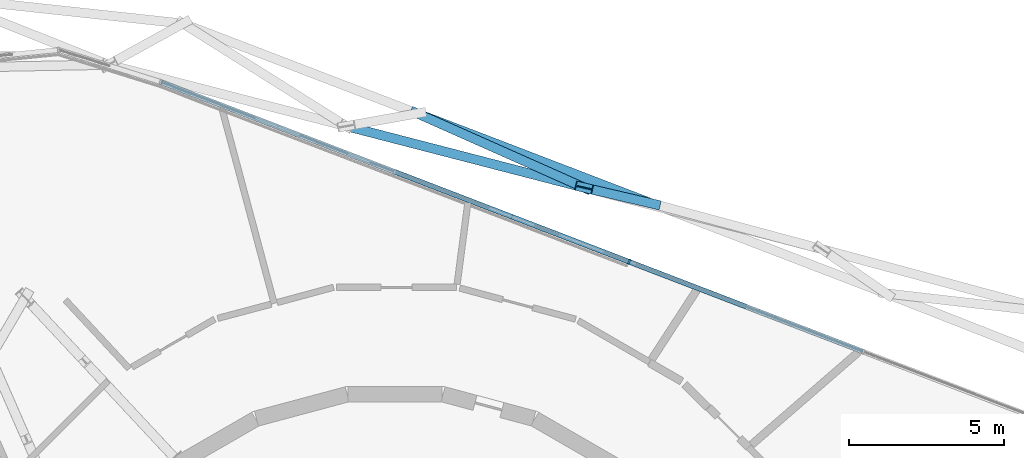
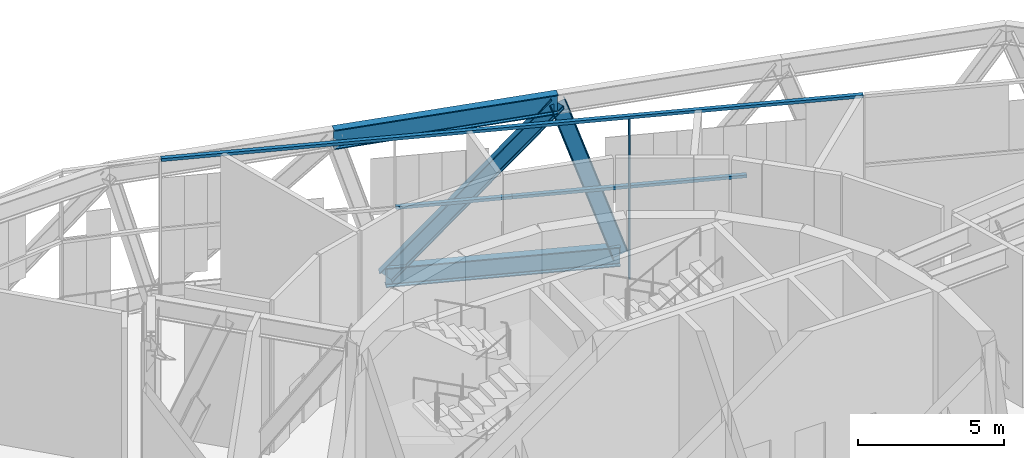
# One storey, part 7 of 25: 9 members, 1 element without a shape of its own.
"""IFC4 building model written with IfcOpenShell, lengths in metres."""

from ifc_helpers import new_model, si_unit, direction, frame, origin, origin_2d, place, context, subcontext, project, spatial, rectangle, i_section, extrude, material, layer, layer_set, material_profile, profile_set, type_object, element, aggregate, save


model = new_model("IFC4")

# Units and contexts
model_context = context("Model", 3, precision=1e-05, world=origin(), true_north=direction((0.0, 1.0)))
body_context = subcontext(model_context, "Body", "Model", "MODEL_VIEW")
ifc_project = project(units=[si_unit("LENGTHUNIT", "METRE"), si_unit("AREAUNIT", "SQUARE_METRE"), si_unit("VOLUMEUNIT", "CUBIC_METRE"), si_unit("PLANEANGLEUNIT", "RADIAN"), si_unit("MASSUNIT", "GRAM", prefix="KILO")], contexts=[model_context])

# Site, building, storey
site_placement = place(None, origin())
site = spatial("IfcSite", under=ifc_project, at=site_placement, CompositionType="ELEMENT")
building_placement = place(site_placement, origin())
building = spatial("IfcBuilding", under=site, at=building_placement, Name="Spindle Arch Residences", CompositionType="ELEMENT")
storey_placement = place(building_placement, frame((0.0, 0.0, 291.39990234375)))
storey = spatial("IfcBuildingStorey", under=building, at=storey_placement, Name="L75", CompositionType="ELEMENT", Elevation=291.39990234375)

# Members
ifc_material_1 = material(Name="Steel S460ML, intumescent coating R 240", Category="steel")
ifc_material_profile_1 = material_profile(ifc_material_1, i_section(OverallWidth=0.302978515625, OverallDepth=0.81396484375, WebThickness=0.02099609375, FlangeThickness=0.0400390625, FilletRadius=0.030029296875, at=origin_2d()), Name="HEM 800")
ifc_profile_set_1 = profile_set([ifc_material_profile_1], Name="Steel S460ML, intumescent coating R 240")
member_type_1 = type_object("IfcMemberType", Name="Belt truss chord HEM 800", PredefinedType="CHORD", material=ifc_profile_set_1)
member_1_placement = place(storey_placement, frame((8.2841796875, 17.810791015625, -0.85693359375), z_axis=(-0.933579788553, 0.358369611443, 0.0), x_axis=(-0.358369611443, -0.933579788553, 0.0)))
element("IfcMember", 1, at=member_1_placement, inside=storey, type_object=member_type_1, Name="Belt truss bottom chord L75.7", PredefinedType="CHORD", context=body_context, shape_type="SweptSolid", body=[
    extrude(i_section(OverallWidth=0.302978515625, OverallDepth=0.81396484375, WebThickness=0.02099609375, FlangeThickness=0.0400390625, FilletRadius=0.030029296875, at=origin_2d()), origin(), (0.0, 0.0, 1.0), 8.107666015625),
])
member_2_placement = place(storey_placement, frame((6.10400390625, 18.31982421875, 5.943115234375), z_axis=(-0.968148968941, 0.250374866825, 0.0), x_axis=(-0.250374866825, -0.968148968941, 0.0)))
element("IfcMember", 2, at=member_2_placement, inside=storey, type_object=member_type_1, Name="Belt truss top chord L75.7", PredefinedType="CHORD", context=body_context, shape_type="SweptSolid", body=[
    extrude(i_section(OverallWidth=0.302978515625, OverallDepth=0.81396484375, WebThickness=0.02099609375, FlangeThickness=0.0400390625, FilletRadius=0.030029296875, at=origin_2d()), origin(), (0.0, 0.0, 1.0), 7.935302734375),
])
ifc_material_2 = material(Name="Steel S460ML, intumescent coating R 240", Category="steel")
ifc_material_profile_2 = material_profile(ifc_material_2, i_section(OverallWidth=0.300048828125, OverallDepth=0.60009765625, WebThickness=0.015380859375, FlangeThickness=0.030029296875, FilletRadius=0.027099609375, at=origin_2d()), Name="HEB 600")
ifc_profile_set_2 = profile_set([ifc_material_profile_2], Name="Steel S460ML, intumescent coating R 240")
member_type_2 = type_object("IfcMemberType", Name="Belt truss diagonal HEB 600", PredefinedType="BRACE", material=ifc_profile_set_2)
member_3_placement = place(storey_placement, frame((8.2841796875, 17.810791015625, -0.85693359375), z_axis=(-0.304531412661, 0.071102799037, 0.94984472977), x_axis=(-0.227367504789, -0.973809025305, 0.0)))
element("IfcMember", 3, at=member_3_placement, inside=storey, type_object=member_type_2, Name="Belt truss diagonal L75.7.7", PredefinedType="BRACE", context=body_context, shape_type="SweptSolid", body=[
    extrude(i_section(OverallWidth=0.300048828125, OverallDepth=0.60009765625, WebThickness=0.015380859375, FlangeThickness=0.030029296875, FilletRadius=0.027099609375, at=origin_2d()), origin(), (0.0, 0.0, 1.0), 7.1591796875),
])
member_4_placement = place(storey_placement, frame((0.715087890625, 20.71630859375, -0.85693359375), z_axis=(0.59867895684, -0.266236245202, 0.755448058028), x_axis=(0.406338178948, 0.913722761197, 0.0)))
element("IfcMember", 4, at=member_4_placement, inside=storey, type_object=member_type_2, Name="Belt truss diagonal L75.7.8", PredefinedType="BRACE", context=body_context, shape_type="SweptSolid", body=[
    extrude(i_section(OverallWidth=0.300048828125, OverallDepth=0.60009765625, WebThickness=0.015380859375, FlangeThickness=0.030029296875, FilletRadius=0.027099609375, at=origin_2d()), origin(), (0.0, 0.0, 1.0), 9.00146484375),
])

# Curtain wall, members
ifc_material_3 = material(Name="Aluminium bronze unitised frame with tinted glass", Category="aluminium")
ifc_layer = layer(ifc_material_3, 0.159912109375)
ifc_layer_set = layer_set([ifc_layer], Name="CW-E double-height winter garden wall")
curtain_wall_type = type_object("IfcCurtainWallType", Name="CW-E double-height winter garden wall", PredefinedType="NOTDEFINED", material=ifc_layer_set)
curtain_wall_placement = place(storey_placement, origin())
curtain_wall = element("IfcCurtainWall", 5, at=curtain_wall_placement, inside=storey, type_object=curtain_wall_type, Name="CW-E L75 run 2", PredefinedType="NOTDEFINED")
ifc_material_4 = material(Name="Aluminium bronze anodised mullion", Category="aluminium")
ifc_material_profile_3 = material_profile(ifc_material_4, rectangle(XDim=0.159912109375, YDim=0.06005859375, at=origin_2d()), Name="MU 60x160")
ifc_profile_set_3 = profile_set([ifc_material_profile_3], Name="Aluminium bronze anodised mullion")
member_type_3 = type_object("IfcMemberType", Name="Bronze mullion 60x160", PredefinedType="MULLION", material=ifc_profile_set_3)
member_5_placement = place(storey_placement, frame((7.560302734375, 15.9248046875, -0.449951171875), z_axis=(0.0, 0.0, 1.0), x_axis=(-0.358367949545, -0.933580426497, 0.0)))
member_5 = element("IfcMember", 6, at=member_5_placement, type_object=member_type_3, Name="CW-E mullion 06", PredefinedType="MULLION", context=body_context, shape_type="SweptSolid", body=[
    extrude(rectangle(XDim=0.159912109375, YDim=0.06005859375, at=origin_2d()), origin(), (0.0, 0.0, 1.0), 6.679931640625),
])
ifc_material_5 = material(Name="Aluminium bronze anodised transom", Category="aluminium")
ifc_material_profile_4 = material_profile(ifc_material_5, rectangle(XDim=0.159912109375, YDim=0.1201171875, at=origin_2d()), Name="TR 120x160")
ifc_profile_set_4 = profile_set([ifc_material_profile_4], Name="Aluminium bronze anodised transom")
member_type_4 = type_object("IfcMemberType", Name="Bronze transom 120x160", PredefinedType="USERDEFINED", material=ifc_profile_set_4)
member_6_placement = place(storey_placement, frame((15.1015625, 13.0302734375, 6.2900390625), z_axis=(-0.933583473728, 0.358360011138, 0.0), x_axis=(-0.358360011138, -0.933583473728, 0.0)))
member_6 = element("IfcMember", 7, at=member_6_placement, type_object=member_type_4, Name="CW-E transom 00", ObjectType="TRANSOM", PredefinedType="USERDEFINED", context=body_context, shape_type="SweptSolid", body=[
    extrude(rectangle(XDim=0.159912109375, YDim=0.1201171875, at=origin_2d()), origin(), (0.0, 0.0, 1.0), 24.262939453125),
])
member_7_placement = place(storey_placement, frame((11.344970703125, 14.47216796875, 3.400146484375), z_axis=(-0.933590898711, 0.358340667303, 0.0), x_axis=(-0.358340667303, -0.933590898711, 0.0)))
member_7 = element("IfcMember", 8, at=member_7_placement, type_object=member_type_4, Name="CW-E transom 05Bm", ObjectType="TRANSOM", PredefinedType="USERDEFINED", context=body_context, shape_type="SweptSolid", body=[
    extrude(rectangle(XDim=0.159912109375, YDim=0.1201171875, at=origin_2d()), origin(), (0.0, 0.0, 1.0), 4.02392578125),
])
member_8_placement = place(storey_placement, frame((7.532470703125, 15.935791015625, 3.400146484375), z_axis=(-0.933590898711, 0.358340667303, 0.0), x_axis=(-0.358340667303, -0.933590898711, 0.0)))
member_8 = element("IfcMember", 9, at=member_8_placement, type_object=member_type_4, Name="CW-E transom 06Am", ObjectType="TRANSOM", PredefinedType="USERDEFINED", context=body_context, shape_type="SweptSolid", body=[
    extrude(rectangle(XDim=0.159912109375, YDim=0.1201171875, at=origin_2d()), origin(), (0.0, 0.0, 1.0), 4.02392578125),
])
member_9_placement = place(storey_placement, frame((3.77587890625, 17.377685546875, 3.400146484375), z_axis=(-0.933590898711, 0.358340667303, 0.0), x_axis=(-0.358340667303, -0.933590898711, 0.0)))
member_9 = element("IfcMember", 10, at=member_9_placement, type_object=member_type_4, Name="CW-E transom 06Bm", ObjectType="TRANSOM", PredefinedType="USERDEFINED", context=body_context, shape_type="SweptSolid", body=[
    extrude(rectangle(XDim=0.159912109375, YDim=0.1201171875, at=origin_2d()), origin(), (0.0, 0.0, 1.0), 4.02392578125),
])
aggregate(curtain_wall, [member_6, member_7, member_5, member_8, member_9])

save(model, "model.ifc")
